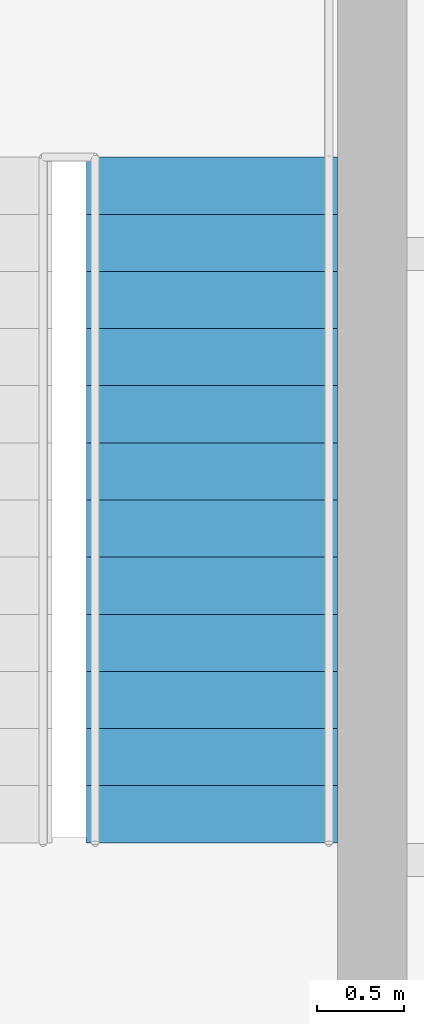
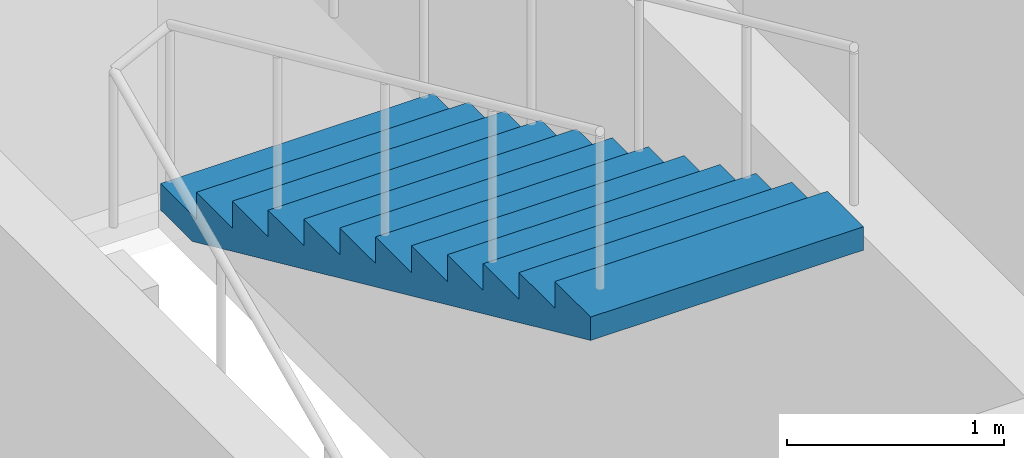
# One storey, part 9 of 10: 1 stair flight, 1 element without a shape of its own.
"""IFC4 building model written with IfcOpenShell, lengths in metres."""

from ifc_helpers import new_model, si_unit, direction, frame, origin, place, context, subcontext, project, spatial, polygons, material, type_object, element, aggregate, save


model = new_model("IFC4")

# Units and contexts
model_context = context("Model", 3, precision=1e-05, world=origin(), true_north=direction((0.0, 1.0)))
body_context = subcontext(model_context, "Body", "Model", "MODEL_VIEW")
ifc_project = project(units=[si_unit("LENGTHUNIT", "METRE"), si_unit("AREAUNIT", "SQUARE_METRE"), si_unit("VOLUMEUNIT", "CUBIC_METRE"), si_unit("PLANEANGLEUNIT", "RADIAN"), si_unit("MASSUNIT", "GRAM", prefix="KILO")], contexts=[model_context])

# Site, building, storey
site_placement = place(None, origin())
site = spatial("IfcSite", under=ifc_project, at=site_placement, CompositionType="ELEMENT")
building_placement = place(site_placement, origin())
building = spatial("IfcBuilding", under=site, at=building_placement, Name="Njiva Tower", CompositionType="ELEMENT")
storey_placement = place(building_placement, frame((0.0, 0.0, 280.5)))
storey = spatial("IfcBuildingStorey", under=building, at=storey_placement, Name="L64", CompositionType="ELEMENT", Elevation=280.5)

# Stair, stair flight
ifc_material = material(Name="Concrete C40/50", Category="concrete")
stair_type = type_object("IfcStairType", Name="ST3 Exit stair 1450", PredefinedType="HALF_TURN_STAIR", material=ifc_material)
stair_placement = place(storey_placement, origin())
stair = element("IfcStair", 1, at=stair_placement, inside=storey, type_object=stair_type, Name="Stair B", PredefinedType="HALF_TURN_STAIR")
stair_flight_type = type_object("IfcStairFlightType", Name="FL3 Stair flight 1450", PredefinedType="STRAIGHT", material=ifc_material)
stair_flight_placement = place(storey_placement, frame((13.375, 15.06, 1.95), z_axis=(0.0, 0.0, 1.0), x_axis=(0.0, -1.0, 0.0)))
stair_flight = element("IfcStairFlight", 2, at=stair_flight_placement, type_object=stair_flight_type, Name="ST-B flight 2", NumberOfRisers=13, NumberOfTreads=12, PredefinedType="STRAIGHT", RiserHeight=0.15, TreadLength=0.33, context=body_context, shape_type="Tessellation", body=[
    polygons([(0.0, 0.725, 0.0), (0.0, 0.3625, 0.0), (0.0, 0.0, 0.0), (0.0, -0.3625, 0.0), (0.0, -0.725, 0.0), (0.0, 0.725, 0.15), (0.0, 0.3625, 0.15), (0.0, 0.0, 0.15), (0.0, -0.3625, 0.15), (0.0, -0.725, 0.15), (0.33, 0.725, 0.15), (0.33, 0.3625, 0.15), (0.33, 0.0, 0.15), (0.33, -0.3625, 0.15), (0.33, -0.725, 0.15), (0.33, 0.725, 0.3), (0.33, 0.3625, 0.3), (0.33, 0.0, 0.3), (0.33, -0.3625, 0.3), (0.33, -0.725, 0.3), (0.66, 0.725, 0.3), (0.66, 0.3625, 0.3), (0.66, 0.0, 0.3), (0.66, -0.3625, 0.3), (0.66, -0.725, 0.3), (0.66, 0.725, 0.45), (0.66, 0.3625, 0.45), (0.66, 0.0, 0.45), (0.66, -0.3625, 0.45), (0.66, -0.725, 0.45), (0.99, 0.725, 0.45), (0.99, 0.3625, 0.45), (0.99, 0.0, 0.45), (0.99, -0.3625, 0.45), (0.99, -0.725, 0.45), (0.99, 0.725, 0.6), (0.99, 0.3625, 0.6), (0.99, 0.0, 0.6), (0.99, -0.3625, 0.6), (0.99, -0.725, 0.6), (1.32, 0.725, 0.6), (1.32, 0.3625, 0.6), (1.32, 0.0, 0.6), (1.32, -0.3625, 0.6), (1.32, -0.725, 0.6), (1.32, 0.725, 0.75), (1.32, 0.3625, 0.75), (1.32, 0.0, 0.75), (1.32, -0.3625, 0.75), (1.32, -0.725, 0.75), (1.65, 0.725, 0.75), (1.65, 0.3625, 0.75), (1.65, 0.0, 0.75), (1.65, -0.3625, 0.75), (1.65, -0.725, 0.75), (1.65, 0.725, 0.9), (1.65, 0.3625, 0.9), (1.65, 0.0, 0.9), (1.65, -0.3625, 0.9), (1.65, -0.725, 0.9), (1.98, 0.725, 0.9), (1.98, 0.3625, 0.9), (1.98, 0.0, 0.9), (1.98, -0.3625, 0.9), (1.98, -0.725, 0.9), (1.98, 0.725, 1.05), (1.98, 0.3625, 1.05), (1.98, 0.0, 1.05), (1.98, -0.3625, 1.05), (1.98, -0.725, 1.05), (2.31, 0.725, 1.05), (2.31, 0.3625, 1.05), (2.31, 0.0, 1.05), (2.31, -0.3625, 1.05), (2.31, -0.725, 1.05), (2.31, 0.725, 1.2), (2.31, 0.3625, 1.2), (2.31, 0.0, 1.2), (2.31, -0.3625, 1.2), (2.31, -0.725, 1.2), (2.64, 0.725, 1.2), (2.64, 0.3625, 1.2), (2.64, 0.0, 1.2), (2.64, -0.3625, 1.2), (2.64, -0.725, 1.2), (2.64, 0.725, 1.35), (2.64, 0.3625, 1.35), (2.64, 0.0, 1.35), (2.64, -0.3625, 1.35), (2.64, -0.725, 1.35), (2.97, 0.725, 1.35), (2.97, 0.3625, 1.35), (2.97, 0.0, 1.35), (2.97, -0.3625, 1.35), (2.97, -0.725, 1.35), (2.97, 0.725, 1.5), (2.97, 0.3625, 1.5), (2.97, 0.0, 1.5), (2.97, -0.3625, 1.5), (2.97, -0.725, 1.5), (3.3, 0.725, 1.5), (3.3, 0.3625, 1.5), (3.3, 0.0, 1.5), (3.3, -0.3625, 1.5), (3.3, -0.725, 1.5), (3.3, 0.725, 1.65), (3.3, 0.3625, 1.65), (3.3, 0.0, 1.65), (3.3, -0.3625, 1.65), (3.3, -0.725, 1.65), (3.63, 0.725, 1.65), (3.63, 0.3625, 1.65), (3.63, 0.0, 1.65), (3.63, -0.3625, 1.65), (3.63, -0.725, 1.65), (3.63, 0.725, 1.8), (3.63, 0.3625, 1.8), (3.63, 0.0, 1.8), (3.63, -0.3625, 1.8), (3.63, -0.725, 1.8), (3.96, 0.725, 1.8), (3.96, 0.3625, 1.8), (3.96, 0.0, 1.8), (3.96, -0.3625, 1.8), (3.96, -0.725, 1.8), (3.96, 0.725, 1.6682), (3.96, 0.3625, 1.6682), (3.96, 0.0, 1.6682), (3.96, -0.3625, 1.6682), (3.96, -0.725, 1.6682), (0.29, 0.725, 0.0), (0.29, 0.3625, 0.0), (0.29, 0.0, 0.0), (0.29, -0.3625, 0.0), (0.29, -0.725, 0.0)], [[[1, 6, 11, 16, 21, 26, 31, 36, 41, 46, 51, 56, 61, 66, 71, 76, 81, 86, 91, 96, 101, 106, 111, 116, 121, 126, 131]], [[135, 130, 125, 120, 115, 110, 105, 100, 95, 90, 85, 80, 75, 70, 65, 60, 55, 50, 45, 40, 35, 30, 25, 20, 15, 10, 5]], [[6, 1, 2, 7]], [[7, 2, 3, 8]], [[8, 3, 4, 9]], [[9, 4, 5, 10]], [[11, 6, 7, 12]], [[12, 7, 8, 13]], [[13, 8, 9, 14]], [[14, 9, 10, 15]], [[16, 11, 12, 17]], [[17, 12, 13, 18]], [[18, 13, 14, 19]], [[19, 14, 15, 20]], [[21, 16, 17, 22]], [[22, 17, 18, 23]], [[23, 18, 19, 24]], [[24, 19, 20, 25]], [[26, 21, 22, 27]], [[27, 22, 23, 28]], [[28, 23, 24, 29]], [[29, 24, 25, 30]], [[31, 26, 27, 32]], [[32, 27, 28, 33]], [[33, 28, 29, 34]], [[34, 29, 30, 35]], [[36, 31, 32, 37]], [[37, 32, 33, 38]], [[38, 33, 34, 39]], [[39, 34, 35, 40]], [[41, 36, 37, 42]], [[42, 37, 38, 43]], [[43, 38, 39, 44]], [[44, 39, 40, 45]], [[46, 41, 42, 47]], [[47, 42, 43, 48]], [[48, 43, 44, 49]], [[49, 44, 45, 50]], [[51, 46, 47, 52]], [[52, 47, 48, 53]], [[53, 48, 49, 54]], [[54, 49, 50, 55]], [[56, 51, 52, 57]], [[57, 52, 53, 58]], [[58, 53, 54, 59]], [[59, 54, 55, 60]], [[61, 56, 57, 62]], [[62, 57, 58, 63]], [[63, 58, 59, 64]], [[64, 59, 60, 65]], [[66, 61, 62, 67]], [[67, 62, 63, 68]], [[68, 63, 64, 69]], [[69, 64, 65, 70]], [[71, 66, 67, 72]], [[72, 67, 68, 73]], [[73, 68, 69, 74]], [[74, 69, 70, 75]], [[76, 71, 72, 77]], [[77, 72, 73, 78]], [[78, 73, 74, 79]], [[79, 74, 75, 80]], [[81, 76, 77, 82]], [[82, 77, 78, 83]], [[83, 78, 79, 84]], [[84, 79, 80, 85]], [[86, 81, 82, 87]], [[87, 82, 83, 88]], [[88, 83, 84, 89]], [[89, 84, 85, 90]], [[91, 86, 87, 92]], [[92, 87, 88, 93]], [[93, 88, 89, 94]], [[94, 89, 90, 95]], [[96, 91, 92, 97]], [[97, 92, 93, 98]], [[98, 93, 94, 99]], [[99, 94, 95, 100]], [[101, 96, 97, 102]], [[102, 97, 98, 103]], [[103, 98, 99, 104]], [[104, 99, 100, 105]], [[106, 101, 102, 107]], [[107, 102, 103, 108]], [[108, 103, 104, 109]], [[109, 104, 105, 110]], [[111, 106, 107, 112]], [[112, 107, 108, 113]], [[113, 108, 109, 114]], [[114, 109, 110, 115]], [[116, 111, 112, 117]], [[117, 112, 113, 118]], [[118, 113, 114, 119]], [[119, 114, 115, 120]], [[121, 116, 117, 122]], [[122, 117, 118, 123]], [[123, 118, 119, 124]], [[124, 119, 120, 125]], [[126, 121, 122, 127]], [[127, 122, 123, 128]], [[128, 123, 124, 129]], [[129, 124, 125, 130]], [[131, 126, 127, 132]], [[132, 127, 128, 133]], [[133, 128, 129, 134]], [[134, 129, 130, 135]], [[1, 131, 132, 2]], [[2, 132, 133, 3]], [[3, 133, 134, 4]], [[4, 134, 135, 5]]], closed=True),
])
aggregate(stair, [stair_flight])

save(model, "model.ifc")
